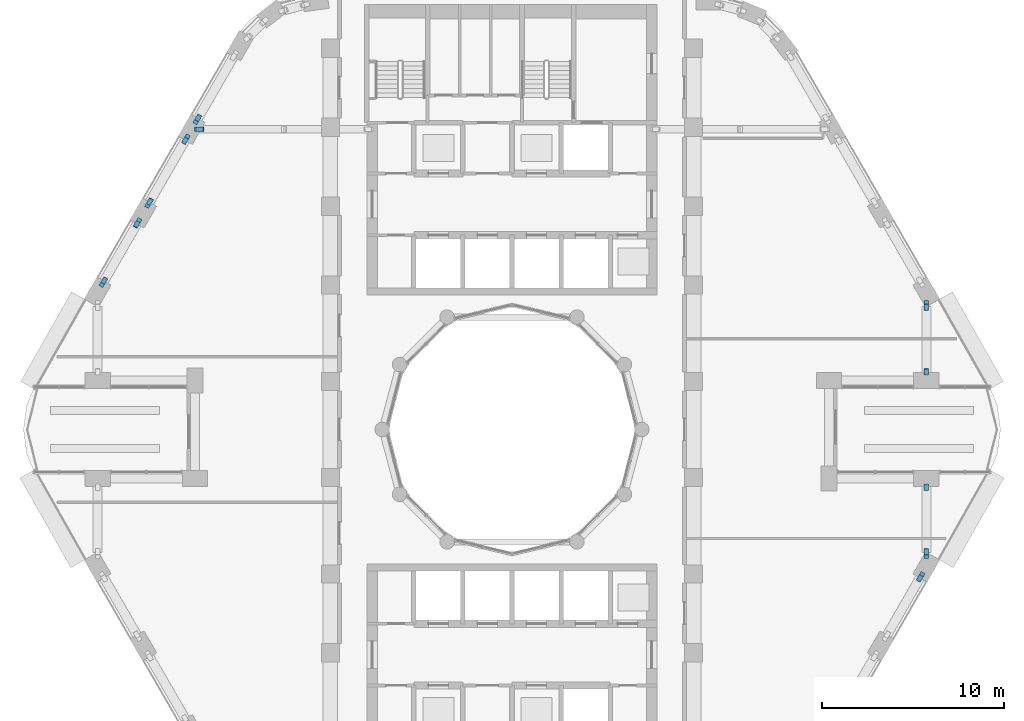
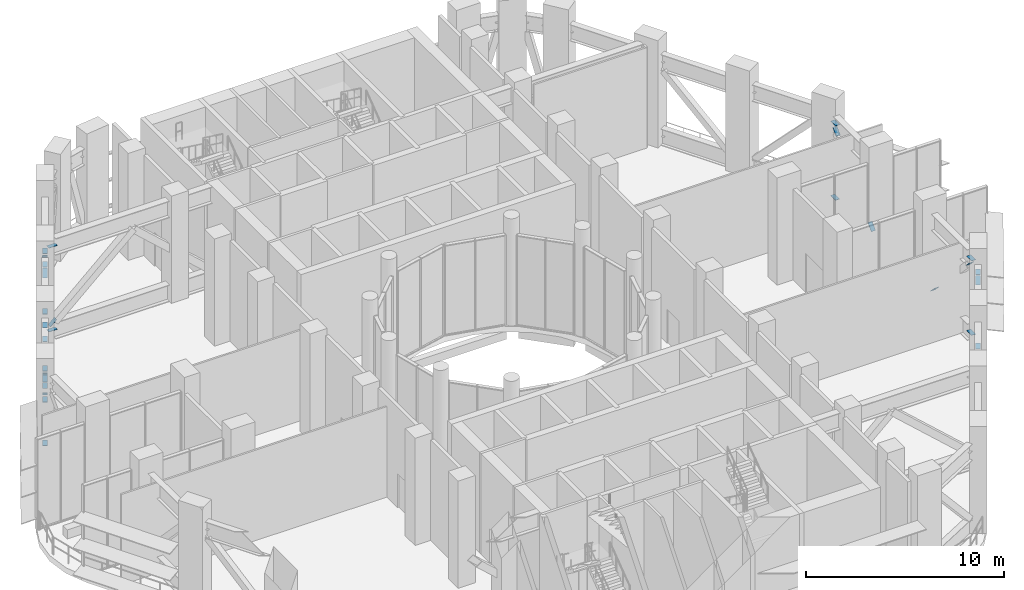
# One storey, part 14 of 21: 29 discrete accessories.
"""IFC4 building model written with IfcOpenShell, lengths in metres."""

from ifc_helpers import new_model, si_unit, direction, frame, origin, origin_2d, place, context, subcontext, project, spatial, rectangle, extrude, material, material_profile, profile_set, type_object, element, save


model = new_model("IFC4")

# Units and contexts
model_context = context("Model", 3, precision=1e-05, world=origin(), true_north=direction((0.0, 1.0)))
body_context = subcontext(model_context, "Body", "Model", "MODEL_VIEW")
ifc_project = project(units=[si_unit("LENGTHUNIT", "METRE"), si_unit("AREAUNIT", "SQUARE_METRE"), si_unit("VOLUMEUNIT", "CUBIC_METRE"), si_unit("PLANEANGLEUNIT", "RADIAN"), si_unit("MASSUNIT", "GRAM", prefix="KILO")], contexts=[model_context])

# Site, building, storey
site_placement = place(None, origin())
site = spatial("IfcSite", under=ifc_project, at=site_placement, CompositionType="ELEMENT")
building_placement = place(site_placement, origin())
building = spatial("IfcBuilding", under=site, at=building_placement, Name="Nakaniwa Court", CompositionType="ELEMENT")
storey_placement = place(building_placement, frame((0.0, 0.0, 120.60009765625)))
storey = spatial("IfcBuildingStorey", under=building, at=storey_placement, Name="S2", CompositionType="ELEMENT", Elevation=120.60009765625)

# Discrete accessories
ifc_material = material(Name="Steel Grade 350", Category="steel")
ifc_material_profile = material_profile(ifc_material, rectangle(XDim=0.25, YDim=0.02001953125, at=origin_2d()), Name="Truss end gusset plate 250x20")
ifc_profile_set = profile_set([ifc_material_profile], Name="Steel Grade 350")
discrete_accessory_type = type_object("IfcDiscreteAccessoryType", Name="Truss end gusset plate 250x20", PredefinedType="BRACKET", material=ifc_profile_set)
for number, where, z_axis, x_axis, name in (
    (1, (62.779541015625, 97.273193359375, 0.5048828125), (-0.499919672301, -0.866071776036, 0.0), (0.866071776036, -0.499919672301, 0.0), "Gusset plate GU-209"),
    (2, (62.779541015625, 97.273193359375, 5.0849609375), (-0.499919672301, -0.866071776036, 0.0), (0.866071776036, -0.499919672301, 0.0), "Gusset plate GU-211"),
    (3, (62.80859375, 97.32373046875, 4.47607421875), (-0.360811155859, -0.625438552984, 0.69183952348), (0.866196843121, -0.499702940723, 0.0), "Gusset plate GU-213"),
):
    element("IfcDiscreteAccessory", number, at=place(storey_placement, frame(where, z_axis=z_axis, x_axis=x_axis)), inside=storey, type_object=discrete_accessory_type, Name=name, PredefinedType="BRACKET", context=body_context, shape_type="SweptSolid", body=[
        extrude(rectangle(XDim=0.25, YDim=0.02001953125, at=origin_2d()), origin(), (0.0, 0.0, 1.0), 0.5),
    ])
discrete_accessory_1_placement = place(storey_placement, frame((61.929443359375, 95.801025390625, 0.5048828125), z_axis=(0.500131122175, 0.865949687125, 0.0), x_axis=(-0.865949687125, 0.500131122175, 0.0)))
element("IfcDiscreteAccessory", 4, at=discrete_accessory_1_placement, inside=storey, type_object=discrete_accessory_type, Name="Gusset plate GU-214", PredefinedType="BRACKET", context=body_context, shape_type="SweptSolid", body=[
    extrude(rectangle(XDim=0.25, YDim=0.02001953125, at=origin_2d()), origin(), (0.0, 0.0, 1.0), 0.499755859375),
])
discrete_accessory_2_placement = place(storey_placement, frame((60.11669921875, 92.660888671875, 0.5048828125), z_axis=(-0.499919672301, -0.866071776036, 0.0), x_axis=(0.866071776036, -0.499919672301, 0.0)))
element("IfcDiscreteAccessory", 5, at=discrete_accessory_2_placement, inside=storey, type_object=discrete_accessory_type, Name="Gusset plate GU-215", PredefinedType="BRACKET", context=body_context, shape_type="SweptSolid", body=[
    extrude(rectangle(XDim=0.25, YDim=0.02001953125, at=origin_2d()), origin(), (0.0, 0.0, 1.0), 0.5),
])
discrete_accessory_3_placement = place(storey_placement, frame((61.929443359375, 95.801025390625, 5.0849609375), z_axis=(0.500131122175, 0.865949687125, 0.0), x_axis=(-0.865949687125, 0.500131122175, 0.0)))
element("IfcDiscreteAccessory", 6, at=discrete_accessory_3_placement, inside=storey, type_object=discrete_accessory_type, Name="Gusset plate GU-216", PredefinedType="BRACKET", context=body_context, shape_type="SweptSolid", body=[
    extrude(rectangle(XDim=0.25, YDim=0.02001953125, at=origin_2d()), origin(), (0.0, 0.0, 1.0), 0.499755859375),
])
for number, where, z_axis, x_axis, name in (
    (7, (60.11669921875, 92.660888671875, 5.0849609375), (-0.499919672301, -0.866071776036, 0.0), (0.866071776036, -0.499919672301, 0.0), "Gusset plate GU-217"),
    (8, (61.900390625, 95.75048828125, 4.47607421875), (0.360811155859, 0.625438552984, 0.69183952348), (-0.866196843121, 0.499702940723, 0.0), "Gusset plate GU-218"),
    (9, (60.145751953125, 92.711181640625, 1.11376953125), (-0.361346001899, -0.625030922204, -0.691928763096), (0.865734831114, -0.500502949238, 0.0), "Gusset plate GU-219"),
):
    element("IfcDiscreteAccessory", number, at=place(storey_placement, frame(where, z_axis=z_axis, x_axis=x_axis)), inside=storey, type_object=discrete_accessory_type, Name=name, PredefinedType="BRACKET", context=body_context, shape_type="SweptSolid", body=[
        extrude(rectangle(XDim=0.25, YDim=0.02001953125, at=origin_2d()), origin(), (0.0, 0.0, 1.0), 0.5),
    ])
discrete_accessory_4_placement = place(storey_placement, frame((59.2666015625, 91.188720703125, 0.5048828125), z_axis=(0.500131122175, 0.865949687125, 0.0), x_axis=(-0.865949687125, 0.500131122175, 0.0)))
element("IfcDiscreteAccessory", 10, at=discrete_accessory_4_placement, inside=storey, type_object=discrete_accessory_type, Name="Gusset plate GU-220", PredefinedType="BRACKET", context=body_context, shape_type="SweptSolid", body=[
    extrude(rectangle(XDim=0.25, YDim=0.02001953125, at=origin_2d()), origin(), (0.0, 0.0, 1.0), 0.499755859375),
])
discrete_accessory_5_placement = place(storey_placement, frame((57.60205078125, 88.305908203125, 0.5048828125), z_axis=(-0.499919672301, -0.866071776036, 0.0), x_axis=(0.866071776036, -0.499919672301, 0.0)))
element("IfcDiscreteAccessory", 11, at=discrete_accessory_5_placement, inside=storey, type_object=discrete_accessory_type, Name="Gusset plate GU-221", PredefinedType="BRACKET", context=body_context, shape_type="SweptSolid", body=[
    extrude(rectangle(XDim=0.25, YDim=0.02001953125, at=origin_2d()), origin(), (0.0, 0.0, 1.0), 0.5),
])
discrete_accessory_6_placement = place(storey_placement, frame((59.2666015625, 91.188720703125, 5.0849609375), z_axis=(0.500131122175, 0.865949687125, 0.0), x_axis=(-0.865949687125, 0.500131122175, 0.0)))
element("IfcDiscreteAccessory", 12, at=discrete_accessory_6_placement, inside=storey, type_object=discrete_accessory_type, Name="Gusset plate GU-222", PredefinedType="BRACKET", context=body_context, shape_type="SweptSolid", body=[
    extrude(rectangle(XDim=0.25, YDim=0.02001953125, at=origin_2d()), origin(), (0.0, 0.0, 1.0), 0.499755859375),
])
for number, where, z_axis, x_axis, name in (
    (13, (57.60205078125, 88.305908203125, 5.0849609375), (-0.499919672301, -0.866071776036, 0.0), (0.866071776036, -0.499919672301, 0.0), "Gusset plate GU-223"),
    (14, (59.239501953125, 91.141845703125, 1.1181640625), (0.346606726282, 0.599971361409, -0.721039626363), (-0.865892200154, 0.500230644515, 0.0), "Gusset plate GU-224"),
    (15, (57.629150390625, 88.3525390625, 4.4716796875), (-0.346606726282, -0.599971361409, 0.721039626363), (0.865892200154, -0.500230644515, 0.0), "Gusset plate GU-225"),
    (16, (102.39794921875, 71.694091796875, 0.5048828125), (0.499919672301, 0.866071776036, 0.0), (-0.866071776036, 0.499919672301, 0.0), "Gusset plate GU-276"),
    (17, (102.39794921875, 71.694091796875, 5.0849609375), (0.499919672301, 0.866071776036, 0.0), (-0.866071776036, 0.499919672301, 0.0), "Gusset plate GU-278"),
    (18, (102.370849609375, 71.6474609375, 4.4716796875), (0.346606726282, 0.599971361409, 0.721039626363), (-0.865892200154, 0.500230644515, 0.0), "Gusset plate GU-280"),
    (19, (102.822998046875, 73.388671875, 0.5048828125), (0.0, -1.0, 0.0), (1.0, 0.0, 0.0), "Gusset plate GU-281"),
    (20, (102.822998046875, 73.388671875, 5.0849609375), (0.0, -1.0, 0.0), (1.0, 0.0, 0.0), "Gusset plate GU-282"),
    (21, (102.822998046875, 73.442138671875, 4.471435546875), (0.0, -0.690812402506, 0.723034041068), (1.0, 0.0, 0.0), "Gusset plate GU-283"),
    (22, (102.822998046875, 76.646484375, 1.118408203125), (0.0, 0.690557049546, -0.723277928131), (-1.0, 0.0, 0.0), "Gusset plate GU-284"),
    (23, (102.822998046875, 86.611328125, 0.5048828125), (0.0, 1.0, 0.0), (-1.0, 0.0, 0.0), "Gusset plate GU-285"),
    (24, (102.822998046875, 86.611328125, 5.0849609375), (0.0, 1.0, 0.0), (-1.0, 0.0, 0.0), "Gusset plate GU-286"),
    (25, (102.822998046875, 83.353515625, 1.118408203125), (0.0, -0.690557049546, -0.723277928131), (1.0, 0.0, 0.0), "Gusset plate GU-287"),
    (26, (102.822998046875, 86.557861328125, 4.471435546875), (0.0, 0.690812402506, 0.723034041068), (-1.0, 0.0, 0.0), "Gusset plate GU-288"),
    (27, (63.024169921875, 96.537109375, 0.511962890625), (-1.0, 0.0, 0.0), (0.0, -1.0, 0.0), "Gusset plate GU-325"),
    (28, (63.024169921875, 96.537109375, 5.677978515625), (-1.0, 0.0, 0.0), (0.0, -1.0, 0.0), "Gusset plate GU-326"),
):
    element("IfcDiscreteAccessory", number, at=place(storey_placement, frame(where, z_axis=z_axis, x_axis=x_axis)), inside=storey, type_object=discrete_accessory_type, Name=name, PredefinedType="BRACKET", context=body_context, shape_type="SweptSolid", body=[
        extrude(rectangle(XDim=0.25, YDim=0.02001953125, at=origin_2d()), origin(), (0.0, 0.0, 1.0), 0.5),
    ])
discrete_accessory_7_placement = place(storey_placement, frame((62.985107421875, 96.537109375, 1.124755859375), z_axis=(-0.740470272515, 0.0, -0.672089112784), x_axis=(0.0, -1.0, 0.0)))
element("IfcDiscreteAccessory", 29, at=discrete_accessory_7_placement, inside=storey, type_object=discrete_accessory_type, Name="Gusset plate GU-328", PredefinedType="BRACKET", context=body_context, shape_type="SweptSolid", body=[
    extrude(rectangle(XDim=0.25, YDim=0.02001953125, at=origin_2d()), origin(), (0.0, 0.0, 1.0), 0.499755859375),
])

save(model, "model.ifc")
